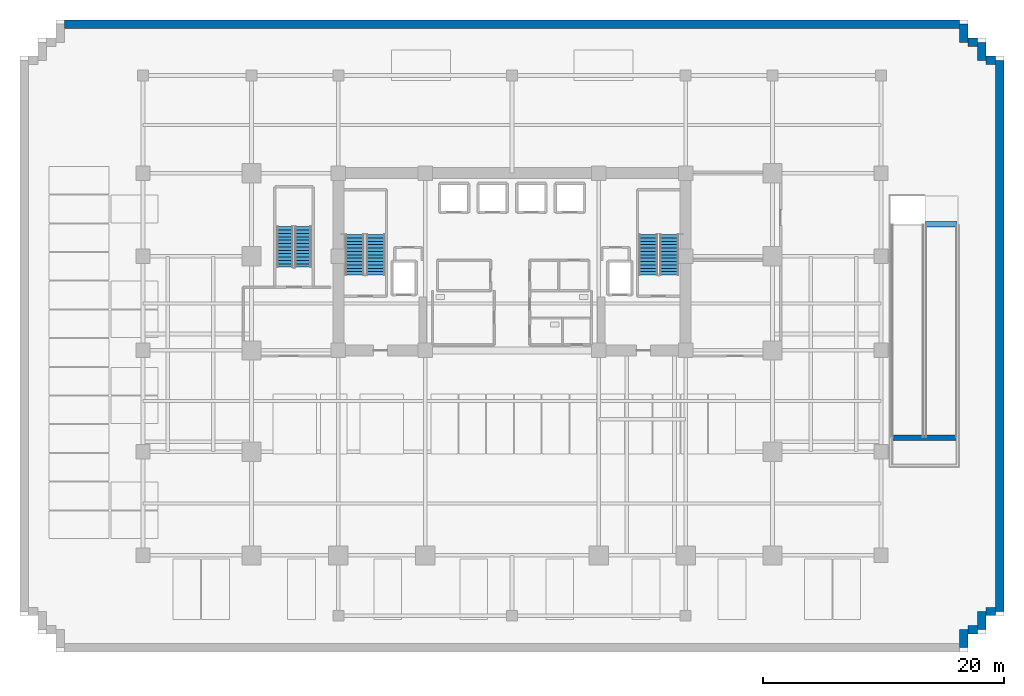
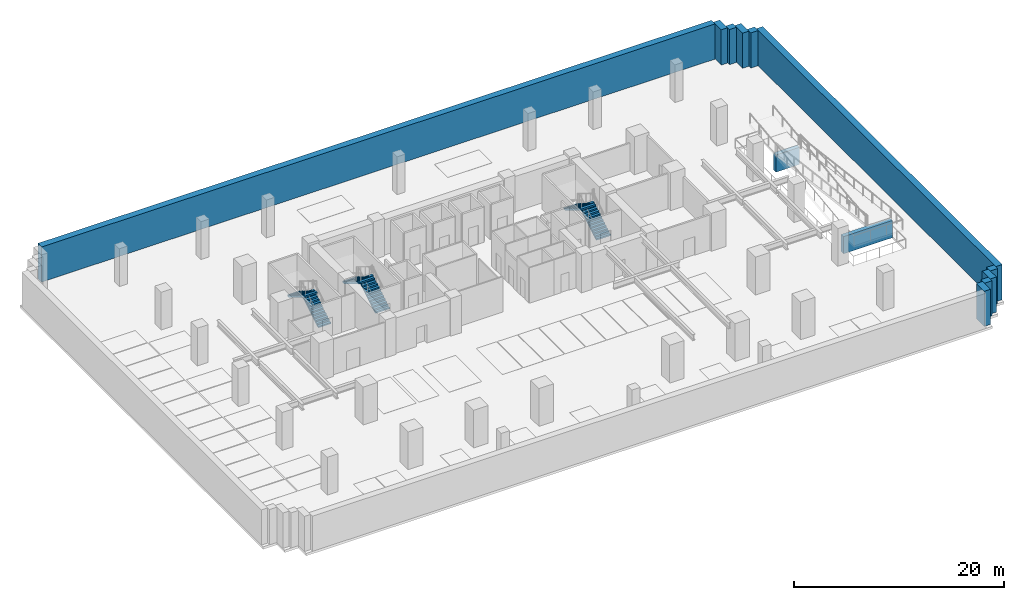
# One storey, part 6 of 14: 12 walls, 6 stair flights, 3 elements without a shape of their own.
"""IFC4 building model written with IfcOpenShell, lengths in metres."""

from ifc_helpers import new_model, si_unit, direction, frame, frame_2d, origin, place, context, subcontext, project, spatial, polyline, rectangle, outline, extrude, material, layer, layer_set, type_object, element, aggregate, save


model = new_model("IFC4")

# Units and contexts
model_context = context("Model", 3, precision=1e-05, world=origin(), true_north=direction((0.0, 1.0)))
body_context = subcontext(model_context, "Body", "Model", "MODEL_VIEW")
ifc_project = project(units=[si_unit("LENGTHUNIT", "METRE"), si_unit("AREAUNIT", "SQUARE_METRE"), si_unit("VOLUMEUNIT", "CUBIC_METRE"), si_unit("PLANEANGLEUNIT", "RADIAN"), si_unit("MASSUNIT", "GRAM", prefix="KILO")], contexts=[model_context])

# Site, building, storey
site_placement = place(None, origin())
site = spatial("IfcSite", under=ifc_project, at=site_placement, CompositionType="ELEMENT")
building_placement = place(site_placement, origin())
building = spatial("IfcBuilding", under=site, at=building_placement, Name="Zarnakvel Exchange Tower", CompositionType="ELEMENT")
storey_placement = place(building_placement, frame((0.0, 0.0, -4.39990234375)))
storey = spatial("IfcBuildingStorey", under=building, at=storey_placement, Name="B01", CompositionType="ELEMENT", Elevation=-4.39990234375)

# Walls
ifc_material_1 = material(Name="Concrete C50/60", Category="concrete")
ifc_layer_1 = layer(ifc_material_1, 0.449951171875)
ifc_layer_set_1 = layer_set([ifc_layer_1], Name="Concrete C50/60")
wall_type_1 = type_object("IfcWallType", Name="CW-C6", PredefinedType="SHEAR", material=ifc_layer_set_1)
wall_1_placement = place(storey_placement, frame((34.300048828125, 9.25, -2.2001953125), z_axis=(0.0, 0.0, 1.0), x_axis=(1.0, 0.0, 0.0)))
element("IfcWall", 1, at=wall_1_placement, inside=storey, type_object=wall_type_1, Name="B01 Ramp Entry-Landing Hinge Bearing Wall", PredefinedType="SHEAR", context=body_context, shape_type="SweptSolid", body=[
    extrude(rectangle(XDim=2.599853515625, YDim=0.449951171875, at=frame_2d((1.2998046875, 0.0))), origin(), (0.0, 0.0, 1.0), 2.0),
])
wall_2_placement = place(storey_placement, frame((31.5, -8.449951171875, 0.0), z_axis=(0.0, 0.0, 1.0), x_axis=(1.0, 0.0, 0.0)))
element("IfcWall", 2, at=wall_2_placement, inside=storey, type_object=wall_type_1, Name="B01 Ramp Mid-Landing Hinge Bearing Wall", PredefinedType="SHEAR", context=body_context, shape_type="SweptSolid", body=[
    extrude(rectangle(XDim=5.39990234375, YDim=0.449951171875, at=frame_2d((2.699951171875, 0.0))), origin(), (0.0, 0.0, 1.0), 2.0),
])
ifc_layer_2 = layer(ifc_material_1, 0.699951171875)
ifc_layer_set_2 = layer_set([ifc_layer_2], Name="Concrete C50/60")
wall_type_2 = type_object("IfcWallType", Name="RW-02", PredefinedType="USERDEFINED", material=ifc_layer_set_2)
wall_3_placement = place(storey_placement, frame((-37.10009765625, 25.85009765625, 0.0), z_axis=(0.0, 0.0, 1.0), x_axis=(1.0, 0.0, 0.0)))
element("IfcWall", 3, at=wall_3_placement, inside=storey, type_object=wall_type_2, Name="B01 Perimeter Retaining Wall RW-02 #6", ObjectType="RETAININGWALL", PredefinedType="USERDEFINED", context=body_context, shape_type="SweptSolid", body=[
    extrude(rectangle(XDim=74.2001953125, YDim=0.699951171875, at=frame_2d((37.10009765625, 0.0))), origin(), (0.0, 0.0, 1.0), 4.099853515625),
])
wall_4_placement = place(storey_placement, frame((37.449951171875, 25.85009765625, 0.0), z_axis=(0.0, 0.0, 1.0), x_axis=(0.0, -1.0, 0.0)))
element("IfcWall", 4, at=wall_4_placement, inside=storey, type_object=wall_type_2, Name="B01 Perimeter Retaining Wall RW-02 #7", ObjectType="RETAININGWALL", PredefinedType="USERDEFINED", context=body_context, shape_type="SweptSolid", body=[
    extrude(rectangle(XDim=1.5, YDim=0.699951171875, at=frame_2d((0.75, 0.0))), origin(), (0.0, 0.0, 1.0), 4.099853515625),
])
wall_5_placement = place(storey_placement, frame((37.800048828125, 24.35009765625, 0.0), z_axis=(0.0, 0.0, 1.0), x_axis=(1.0, 0.0, 0.0)))
element("IfcWall", 5, at=wall_5_placement, inside=storey, type_object=wall_type_2, Name="B01 Perimeter Retaining Wall RW-02 #8", ObjectType="RETAININGWALL", PredefinedType="USERDEFINED", context=body_context, shape_type="SweptSolid", body=[
    extrude(rectangle(XDim=0.800048828125, YDim=0.699951171875, at=frame_2d((0.39990234375, 0.0))), origin(), (0.0, 0.0, 1.0), 4.099853515625),
])
wall_6_placement = place(storey_placement, frame((38.949951171875, 24.35009765625, 0.0), z_axis=(0.0, 0.0, 1.0), x_axis=(0.0, -1.0, 0.0)))
element("IfcWall", 6, at=wall_6_placement, inside=storey, type_object=wall_type_2, Name="B01 Perimeter Retaining Wall RW-02 #9", ObjectType="RETAININGWALL", PredefinedType="USERDEFINED", context=body_context, shape_type="SweptSolid", body=[
    extrude(rectangle(XDim=1.5, YDim=0.699951171875, at=frame_2d((0.75, 0.0))), origin(), (0.0, 0.0, 1.0), 4.099853515625),
])
wall_7_placement = place(storey_placement, frame((39.300048828125, 22.85009765625, 0.0), z_axis=(0.0, 0.0, 1.0), x_axis=(1.0, 0.0, 0.0)))
element("IfcWall", 7, at=wall_7_placement, inside=storey, type_object=wall_type_2, Name="B01 Perimeter Retaining Wall RW-02 #10", ObjectType="RETAININGWALL", PredefinedType="USERDEFINED", context=body_context, shape_type="SweptSolid", body=[
    extrude(rectangle(XDim=0.800048828125, YDim=0.699951171875, at=frame_2d((0.39990234375, 0.0))), origin(), (0.0, 0.0, 1.0), 4.099853515625),
])
wall_8_placement = place(storey_placement, frame((40.449951171875, 22.85009765625, 0.0), z_axis=(0.0, 0.0, 1.0), x_axis=(0.0, -1.0, 0.0)))
element("IfcWall", 8, at=wall_8_placement, inside=storey, type_object=wall_type_2, Name="B01 Perimeter Retaining Wall RW-02 #11", ObjectType="RETAININGWALL", PredefinedType="USERDEFINED", context=body_context, shape_type="SweptSolid", body=[
    extrude(rectangle(XDim=45.7001953125, YDim=0.699951171875, at=frame_2d((22.85009765625, 0.0))), origin(), (0.0, 0.0, 1.0), 4.099853515625),
])
wall_9_placement = place(storey_placement, frame((40.10009765625, -22.85009765625, 0.0), z_axis=(0.0, 0.0, 1.0), x_axis=(-1.0, 0.0, 0.0)))
element("IfcWall", 9, at=wall_9_placement, inside=storey, type_object=wall_type_2, Name="B01 Perimeter Retaining Wall RW-02 #12", ObjectType="RETAININGWALL", PredefinedType="USERDEFINED", context=body_context, shape_type="SweptSolid", body=[
    extrude(rectangle(XDim=0.800048828125, YDim=0.699951171875, at=frame_2d((0.39990234375, 0.0))), origin(), (0.0, 0.0, 1.0), 4.099853515625),
])
wall_10_placement = place(storey_placement, frame((38.949951171875, -22.85009765625, 0.0), z_axis=(0.0, 0.0, 1.0), x_axis=(0.0, -1.0, 0.0)))
element("IfcWall", 10, at=wall_10_placement, inside=storey, type_object=wall_type_2, Name="B01 Perimeter Retaining Wall RW-02 #13", ObjectType="RETAININGWALL", PredefinedType="USERDEFINED", context=body_context, shape_type="SweptSolid", body=[
    extrude(rectangle(XDim=1.5, YDim=0.699951171875, at=frame_2d((0.75, 0.0))), origin(), (0.0, 0.0, 1.0), 4.099853515625),
])
wall_11_placement = place(storey_placement, frame((38.60009765625, -24.35009765625, 0.0), z_axis=(0.0, 0.0, 1.0), x_axis=(-1.0, 0.0, 0.0)))
element("IfcWall", 11, at=wall_11_placement, inside=storey, type_object=wall_type_2, Name="B01 Perimeter Retaining Wall RW-02 #14", ObjectType="RETAININGWALL", PredefinedType="USERDEFINED", context=body_context, shape_type="SweptSolid", body=[
    extrude(rectangle(XDim=0.800048828125, YDim=0.699951171875, at=frame_2d((0.39990234375, 0.0))), origin(), (0.0, 0.0, 1.0), 4.099853515625),
])
wall_12_placement = place(storey_placement, frame((37.449951171875, -24.35009765625, 0.0), z_axis=(0.0, 0.0, 1.0), x_axis=(0.0, -1.0, 0.0)))
element("IfcWall", 12, at=wall_12_placement, inside=storey, type_object=wall_type_2, Name="B01 Perimeter Retaining Wall RW-02 #15", ObjectType="RETAININGWALL", PredefinedType="USERDEFINED", context=body_context, shape_type="SweptSolid", body=[
    extrude(rectangle(XDim=1.5, YDim=0.699951171875, at=frame_2d((0.75, 0.0))), origin(), (0.0, 0.0, 1.0), 4.099853515625),
])

# Stair, stair flights
ifc_material_2 = material(Name="Concrete C40/50", Category="concrete")
stair_type_1 = type_object("IfcStairType", Name="STR-01", PredefinedType="HALF_TURN_STAIR", material=ifc_material_2)
stair_1_placement = place(storey_placement, origin())
stair_1 = element("IfcStair", 13, at=stair_1_placement, inside=storey, type_object=stair_type_1, Name="B01 Protected Core Exit Stair ST-01", PredefinedType="HALF_TURN_STAIR")
stair_flight_type_1 = type_object("IfcStairFlightType", Name="FLT-01", PredefinedType="STRAIGHT", material=ifc_material_2)
stair_flight_1_placement = place(storey_placement, frame((-11.31494140625, 5.050048828125, 0.0), z_axis=(0.0, 0.0, 1.0), x_axis=(0.0, 1.0, 0.0)))
stair_flight_1 = element("IfcStairFlight", 14, at=stair_flight_1_placement, type_object=stair_flight_type_1, Name="ST-01 flight 1", NumberOfRisers=13, NumberOfTreads=12, PredefinedType="STRAIGHT", RiserHeight=0.169230769, TreadLength=0.28, context=body_context, shape_type="SweptSolid", body=[
    extrude(outline(polyline([(0.0, 0.0), (0.0, 0.169189453125), (0.280029296875, 0.169189453125), (0.280029296875, 0.33837890625), (0.56005859375, 0.33837890625), (0.56005859375, 0.5078125), (0.840087890625, 0.5078125), (0.840087890625, 0.677001953125), (1.1201171875, 0.677001953125), (1.1201171875, 0.84619140625), (1.39990234375, 0.84619140625), (1.39990234375, 1.015380859375), (1.679931640625, 1.015380859375), (1.679931640625, 1.1845703125), (1.9599609375, 1.1845703125), (1.9599609375, 1.353759765625), (2.239990234375, 1.353759765625), (2.239990234375, 1.523193359375), (2.52001953125, 1.523193359375), (2.52001953125, 1.6923828125), (2.800048828125, 1.6923828125), (2.800048828125, 1.861572265625), (3.080078125, 1.861572265625), (3.080078125, 2.03076171875), (3.360107421875, 2.03076171875), (3.360107421875, 2.199951171875), (3.360107421875, 1.855712890625), (0.289794921875, 0.0), (0.0, 0.0)])), frame((0.0, 0.77490234375, 0.0), z_axis=(0.0, -1.0, 0.0), x_axis=(1.0, 0.0, 0.0)), (0.0, 0.0, 1.0), 1.550048828125),
])
stair_flight_2_placement = place(storey_placement, frame((-13.02490234375, 8.409912109375, 2.199951171875), z_axis=(0.0, 0.0, 1.0), x_axis=(0.0, -1.0, 0.0)))
stair_flight_2 = element("IfcStairFlight", 15, at=stair_flight_2_placement, type_object=stair_flight_type_1, Name="ST-01 flight 2", NumberOfRisers=13, NumberOfTreads=12, PredefinedType="STRAIGHT", RiserHeight=0.169230769, TreadLength=0.28, context=body_context, shape_type="SweptSolid", body=[
    extrude(outline(polyline([(0.0, 0.0), (0.0, 0.169189453125), (0.280029296875, 0.169189453125), (0.280029296875, 0.33837890625), (0.56005859375, 0.33837890625), (0.56005859375, 0.5078125), (0.840087890625, 0.5078125), (0.840087890625, 0.677001953125), (1.1201171875, 0.677001953125), (1.1201171875, 0.84619140625), (1.39990234375, 0.84619140625), (1.39990234375, 1.015380859375), (1.679931640625, 1.015380859375), (1.679931640625, 1.1845703125), (1.9599609375, 1.1845703125), (1.9599609375, 1.353759765625), (2.239990234375, 1.353759765625), (2.239990234375, 1.523193359375), (2.52001953125, 1.523193359375), (2.52001953125, 1.6923828125), (2.800048828125, 1.6923828125), (2.800048828125, 1.861572265625), (3.080078125, 1.861572265625), (3.080078125, 2.03076171875), (3.360107421875, 2.03076171875), (3.360107421875, 2.199951171875), (3.360107421875, 1.855712890625), (0.289794921875, 0.0), (0.0, 0.0)])), frame((0.0, 0.77490234375, 0.0), z_axis=(0.0, -1.0, 0.0), x_axis=(1.0, 0.0, 0.0)), (0.0, 0.0, 1.0), 1.550048828125),
])
aggregate(stair_1, [stair_flight_1, stair_flight_2])

stair_2_placement = place(storey_placement, origin())
stair_2 = element("IfcStair", 16, at=stair_2_placement, inside=storey, type_object=stair_type_1, Name="B01 Protected Core Exit Stair ST-02", PredefinedType="HALF_TURN_STAIR")
stair_flight_3_placement = place(storey_placement, frame((13.02490234375, 5.050048828125, 0.0), z_axis=(0.0, 0.0, 1.0), x_axis=(0.0, 1.0, 0.0)))
stair_flight_3 = element("IfcStairFlight", 17, at=stair_flight_3_placement, type_object=stair_flight_type_1, Name="ST-02 flight 1", NumberOfRisers=13, NumberOfTreads=12, PredefinedType="STRAIGHT", RiserHeight=0.169230769, TreadLength=0.28, context=body_context, shape_type="SweptSolid", body=[
    extrude(outline(polyline([(0.0, 0.0), (0.0, 0.169189453125), (0.280029296875, 0.169189453125), (0.280029296875, 0.33837890625), (0.56005859375, 0.33837890625), (0.56005859375, 0.5078125), (0.840087890625, 0.5078125), (0.840087890625, 0.677001953125), (1.1201171875, 0.677001953125), (1.1201171875, 0.84619140625), (1.39990234375, 0.84619140625), (1.39990234375, 1.015380859375), (1.679931640625, 1.015380859375), (1.679931640625, 1.1845703125), (1.9599609375, 1.1845703125), (1.9599609375, 1.353759765625), (2.239990234375, 1.353759765625), (2.239990234375, 1.523193359375), (2.52001953125, 1.523193359375), (2.52001953125, 1.6923828125), (2.800048828125, 1.6923828125), (2.800048828125, 1.861572265625), (3.080078125, 1.861572265625), (3.080078125, 2.03076171875), (3.360107421875, 2.03076171875), (3.360107421875, 2.199951171875), (3.360107421875, 1.855712890625), (0.289794921875, 0.0), (0.0, 0.0)])), frame((0.0, 0.77490234375, 0.0), z_axis=(0.0, -1.0, 0.0), x_axis=(1.0, 0.0, 0.0)), (0.0, 0.0, 1.0), 1.550048828125),
])
stair_flight_4_placement = place(storey_placement, frame((11.31494140625, 8.409912109375, 2.199951171875), z_axis=(0.0, 0.0, 1.0), x_axis=(0.0, -1.0, 0.0)))
stair_flight_4 = element("IfcStairFlight", 18, at=stair_flight_4_placement, type_object=stair_flight_type_1, Name="ST-02 flight 2", NumberOfRisers=13, NumberOfTreads=12, PredefinedType="STRAIGHT", RiserHeight=0.169230769, TreadLength=0.28, context=body_context, shape_type="SweptSolid", body=[
    extrude(outline(polyline([(0.0, 0.0), (0.0, 0.169189453125), (0.280029296875, 0.169189453125), (0.280029296875, 0.33837890625), (0.56005859375, 0.33837890625), (0.56005859375, 0.5078125), (0.840087890625, 0.5078125), (0.840087890625, 0.677001953125), (1.1201171875, 0.677001953125), (1.1201171875, 0.84619140625), (1.39990234375, 0.84619140625), (1.39990234375, 1.015380859375), (1.679931640625, 1.015380859375), (1.679931640625, 1.1845703125), (1.9599609375, 1.1845703125), (1.9599609375, 1.353759765625), (2.239990234375, 1.353759765625), (2.239990234375, 1.523193359375), (2.52001953125, 1.523193359375), (2.52001953125, 1.6923828125), (2.800048828125, 1.6923828125), (2.800048828125, 1.861572265625), (3.080078125, 1.861572265625), (3.080078125, 2.03076171875), (3.360107421875, 2.03076171875), (3.360107421875, 2.199951171875), (3.360107421875, 1.855712890625), (0.289794921875, 0.0), (0.0, 0.0)])), frame((0.0, 0.77490234375, 0.0), z_axis=(0.0, -1.0, 0.0), x_axis=(1.0, 0.0, 0.0)), (0.0, 0.0, 1.0), 1.550048828125),
])
aggregate(stair_2, [stair_flight_3, stair_flight_4])

stair_type_2 = type_object("IfcStairType", Name="STR-03", PredefinedType="HALF_TURN_STAIR", material=ifc_material_2)
stair_3_placement = place(storey_placement, origin())
stair_3 = element("IfcStair", 19, at=stair_3_placement, inside=storey, type_object=stair_type_2, Name="B01 Substructure Car Park Exit Stair ST-05", PredefinedType="HALF_TURN_STAIR")
stair_flight_type_2 = type_object("IfcStairFlightType", Name="FLT-03", PredefinedType="STRAIGHT", material=ifc_material_2)
stair_flight_5_placement = place(storey_placement, frame((-17.31494140625, 5.699951171875, 0.0), z_axis=(0.0, 0.0, 1.0), x_axis=(0.0, 1.0, 0.0)))
stair_flight_5 = element("IfcStairFlight", 20, at=stair_flight_5_placement, type_object=stair_flight_type_2, Name="ST-05 flight 1", NumberOfRisers=13, NumberOfTreads=12, PredefinedType="STRAIGHT", RiserHeight=0.169230769, TreadLength=0.28, context=body_context, shape_type="SweptSolid", body=[
    extrude(outline(polyline([(0.0, 0.0), (0.0, 0.169189453125), (0.280029296875, 0.169189453125), (0.280029296875, 0.33837890625), (0.56005859375, 0.33837890625), (0.56005859375, 0.5078125), (0.840087890625, 0.5078125), (0.840087890625, 0.677001953125), (1.1201171875, 0.677001953125), (1.1201171875, 0.84619140625), (1.39990234375, 0.84619140625), (1.39990234375, 1.015380859375), (1.679931640625, 1.015380859375), (1.679931640625, 1.1845703125), (1.9599609375, 1.1845703125), (1.9599609375, 1.353759765625), (2.239990234375, 1.353759765625), (2.239990234375, 1.523193359375), (2.52001953125, 1.523193359375), (2.52001953125, 1.6923828125), (2.800048828125, 1.6923828125), (2.800048828125, 1.861572265625), (3.080078125, 1.861572265625), (3.080078125, 2.03076171875), (3.360107421875, 2.03076171875), (3.360107421875, 2.199951171875), (3.360107421875, 1.855712890625), (0.289794921875, 0.0), (0.0, 0.0)])), frame((0.0, 0.675048828125, 0.0), z_axis=(0.0, -1.0, 0.0), x_axis=(1.0, 0.0, 0.0)), (0.0, 0.0, 1.0), 1.35009765625),
])
stair_flight_6_placement = place(storey_placement, frame((-18.824951171875, 9.06005859375, 2.199951171875), z_axis=(0.0, 0.0, 1.0), x_axis=(0.0, -1.0, 0.0)))
stair_flight_6 = element("IfcStairFlight", 21, at=stair_flight_6_placement, type_object=stair_flight_type_2, Name="ST-05 flight 2", NumberOfRisers=13, NumberOfTreads=12, PredefinedType="STRAIGHT", RiserHeight=0.169230769, TreadLength=0.28, context=body_context, shape_type="SweptSolid", body=[
    extrude(outline(polyline([(0.0, 0.0), (0.0, 0.169189453125), (0.280029296875, 0.169189453125), (0.280029296875, 0.33837890625), (0.56005859375, 0.33837890625), (0.56005859375, 0.5078125), (0.840087890625, 0.5078125), (0.840087890625, 0.677001953125), (1.1201171875, 0.677001953125), (1.1201171875, 0.84619140625), (1.39990234375, 0.84619140625), (1.39990234375, 1.015380859375), (1.679931640625, 1.015380859375), (1.679931640625, 1.1845703125), (1.9599609375, 1.1845703125), (1.9599609375, 1.353759765625), (2.239990234375, 1.353759765625), (2.239990234375, 1.523193359375), (2.52001953125, 1.523193359375), (2.52001953125, 1.6923828125), (2.800048828125, 1.6923828125), (2.800048828125, 1.861572265625), (3.080078125, 1.861572265625), (3.080078125, 2.03076171875), (3.360107421875, 2.03076171875), (3.360107421875, 2.199951171875), (3.360107421875, 1.855712890625), (0.289794921875, 0.0), (0.0, 0.0)])), frame((0.0, 0.675048828125, 0.0), z_axis=(0.0, -1.0, 0.0), x_axis=(1.0, 0.0, 0.0)), (0.0, 0.0, 1.0), 1.35009765625),
])
aggregate(stair_3, [stair_flight_5, stair_flight_6])

save(model, "model.ifc")
